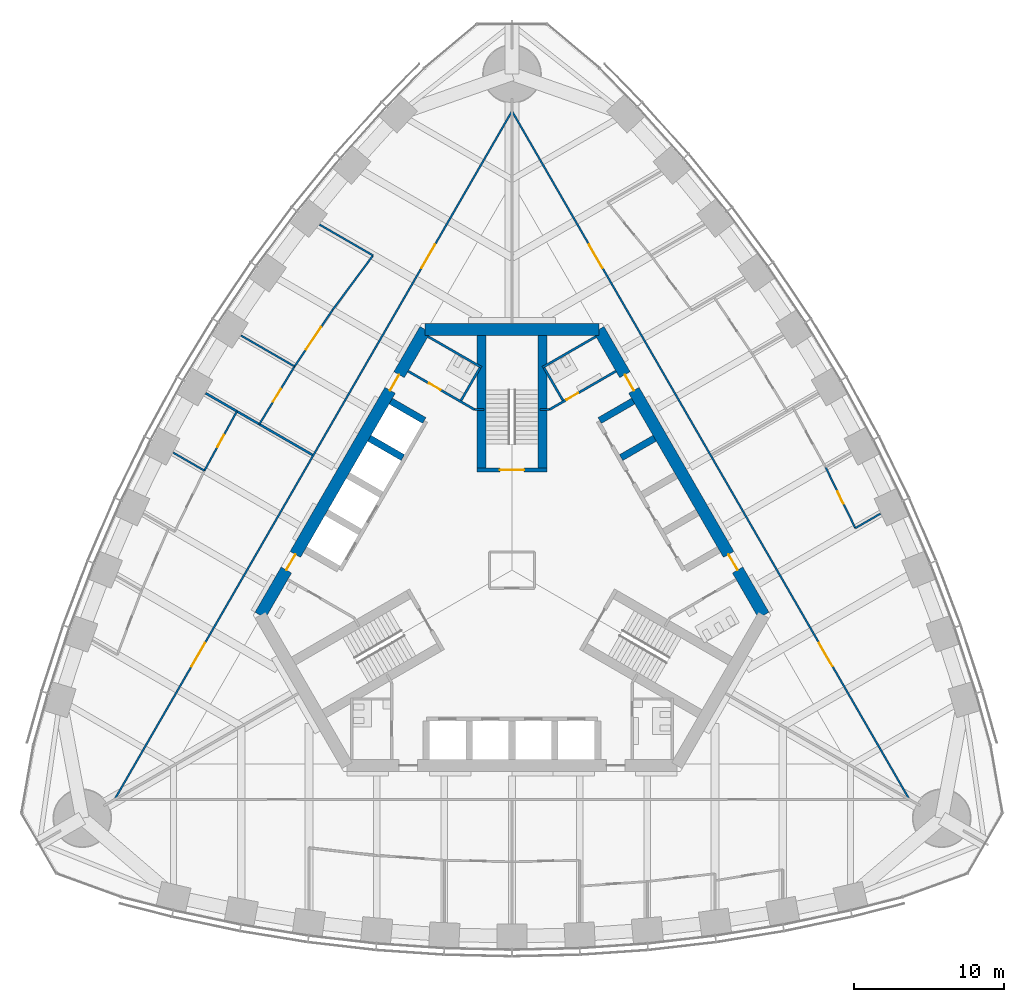
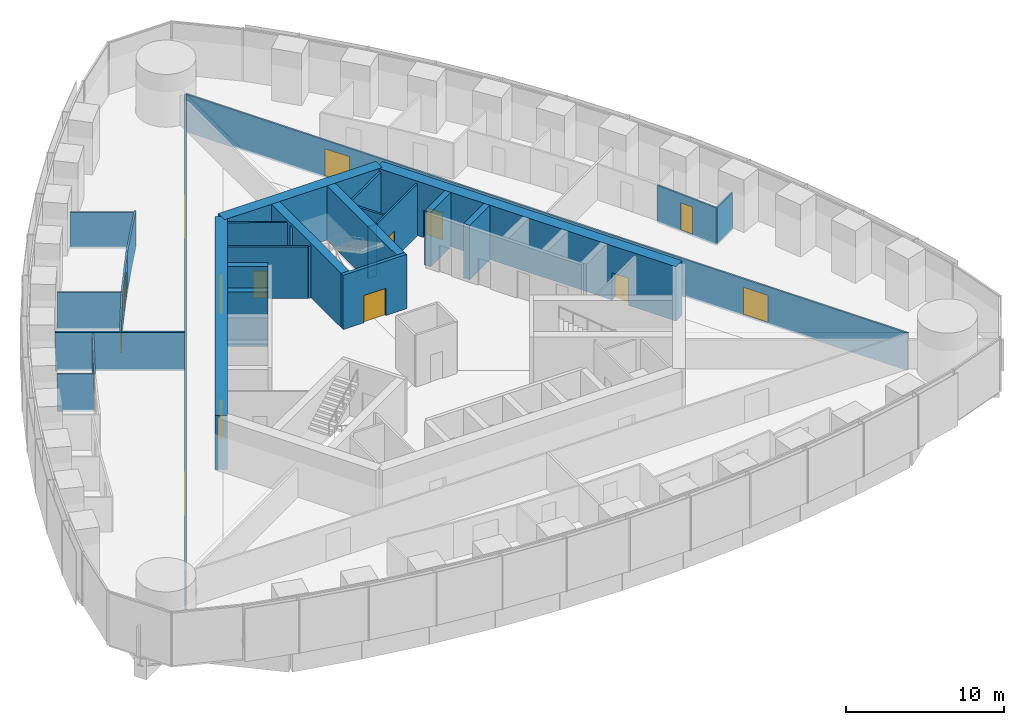
# One storey, part 13 of 19: 30 walls, 15 doors, 15 openings.
"""IFC4 building model written with IfcOpenShell, lengths in metres."""

from ifc_helpers import new_model, si_unit, direction, frame, frame_2d, origin, place, context, subcontext, project, spatial, rectangle, extrude, material, layer, layer_set, type_object, element, fill, save


model = new_model("IFC4")

# Units and contexts
model_context = context("Model", 3, precision=1e-05, world=origin(), true_north=direction((0.0, 1.0)))
body_context = subcontext(model_context, "Body", "Model", "MODEL_VIEW")
ifc_project = project(units=[si_unit("LENGTHUNIT", "METRE"), si_unit("AREAUNIT", "SQUARE_METRE"), si_unit("VOLUMEUNIT", "CUBIC_METRE"), si_unit("PLANEANGLEUNIT", "RADIAN"), si_unit("MASSUNIT", "GRAM", prefix="KILO")], contexts=[model_context])

# Site, building, storey
site_placement = place(None, origin())
site = spatial("IfcSite", under=ifc_project, at=site_placement, CompositionType="ELEMENT")
building_placement = place(site_placement, origin())
building = spatial("IfcBuilding", under=site, at=building_placement, Name="Trefoil Bronze Tower", CompositionType="ELEMENT")
storey_placement = place(building_placement, frame((0.0, 0.0, 193.89990234375)))
storey = spatial("IfcBuildingStorey", under=building, at=storey_placement, Name="L44", CompositionType="ELEMENT", Elevation=193.89990234375)

# Wall, openings, doors
ifc_material_1 = material(Name="Concrete B80", Category="concrete")
ifc_layer_1 = layer(ifc_material_1, 0.800048828125)
ifc_layer_set_1 = layer_set([ifc_layer_1], Name="Core wall 800")
wall_type_1 = type_object("IfcWallType", Name="Core wall 800", PredefinedType="SHEAR", material=ifc_layer_set_1)
wall_1_placement = place(storey_placement, frame((16.7431640625, -3.0, 0.0), z_axis=(0.0, 0.0, 1.0), x_axis=(-0.500002442456, 0.866023993627, 0.0)))
wall_1 = element("IfcWall", 1, at=wall_1_placement, inside=storey, type_object=wall_type_1, Name="Core long wall 2 L44", PredefinedType="SHEAR", context=body_context, shape_type="SweptSolid", body=[
    extrude(rectangle(XDim=21.939453125, YDim=0.800048828125, at=frame_2d((10.9697265625, 0.0))), origin(), (0.0, 0.0, 1.0), 4.2001953125),
])
opening_1_placement = place(wall_1_placement, frame((17.269775390625, 0.0, 0.0)))
opening_1 = element("IfcOpeningElement", 2, at=opening_1_placement, cuts=wall_1, Name="Opening D2", PredefinedType="OPENING", context=body_context, shape_type="SweptSolid", body=[
    extrude(rectangle(XDim=1.199951171875, YDim=2.10009765625, at=frame_2d((0.60009765625, 1.050048828125))), frame((0.0, 0.409912109375, 0.0), z_axis=(0.0, -1.0, 0.0), x_axis=(1.0, 0.0, 0.0)), (0.0, 0.0, 1.0), 0.820068359375),
])
opening_2_placement = place(wall_1_placement, frame((3.4697265625, 0.0, 0.0)))
opening_2 = element("IfcOpeningElement", 3, at=opening_2_placement, cuts=wall_1, Name="Opening D2", PredefinedType="OPENING", context=body_context, shape_type="SweptSolid", body=[
    extrude(rectangle(XDim=1.199951171875, YDim=2.10009765625, at=frame_2d((0.60009765625, 1.050048828125))), frame((0.0, 0.409912109375, 0.0), z_axis=(0.0, -1.0, 0.0), x_axis=(1.0, 0.0, 0.0)), (0.0, 0.0, 1.0), 0.820068359375),
])
ifc_material_2 = material(Name="Steel door", Category="steel")
door_type_1 = type_object("IfcDoorType", Name="Lobby door 1200", OperationType="SINGLE_SWING_RIGHT", PredefinedType="DOOR", material=ifc_material_2)
door_1_placement = place(opening_1_placement, origin())
door_1 = element("IfcDoor", 4, at=door_1_placement, inside=storey, type_object=door_type_1, Name="Lobby door F2+ L44", OperationType="SINGLE_SWING_RIGHT", OverallHeight=2.10009765625, OverallWidth=1.199951171875, PredefinedType="DOOR", context=body_context, shape_type="SweptSolid", body=[
    extrude(rectangle(XDim=1.199951171875, YDim=2.10009765625, at=frame_2d((0.60009765625, 1.050048828125))), frame((0.0, 0.02490234375, 0.0), z_axis=(0.0, -1.0, 0.0), x_axis=(1.0, 0.0, 0.0)), (0.0, 0.0, 1.0), 0.050048828125),
])
fill(opening_1, door_1)
door_2_placement = place(opening_2_placement, origin())
door_2 = element("IfcDoor", 5, at=door_2_placement, inside=storey, type_object=door_type_1, Name="Lobby door F2- L44", OperationType="SINGLE_SWING_LEFT", OverallHeight=2.10009765625, OverallWidth=1.199951171875, PredefinedType="DOOR", context=body_context, shape_type="SweptSolid", body=[
    extrude(rectangle(XDim=1.199951171875, YDim=2.10009765625, at=frame_2d((0.60009765625, 1.050048828125))), frame((0.0, 0.02490234375, 0.0), z_axis=(0.0, -1.0, 0.0), x_axis=(1.0, 0.0, 0.0)), (0.0, 0.0, 1.0), 0.050048828125),
])
fill(opening_2, door_2)

# Wall
wall_2_placement = place(storey_placement, frame((5.7734375, 16.0, 0.0), z_axis=(0.0, 0.0, 1.0), x_axis=(-1.0, 0.0, 0.0)))
element("IfcWall", 6, at=wall_2_placement, inside=storey, type_object=wall_type_1, Name="Core short wall 2 L44", PredefinedType="SHEAR", context=body_context, shape_type="SweptSolid", body=[
    extrude(rectangle(XDim=11.546875, YDim=0.800048828125, at=frame_2d((5.7734375, 0.0))), origin(), (0.0, 0.0, 1.0), 4.2001953125),
])

# Wall, openings, doors
wall_3_placement = place(storey_placement, frame((-5.7734375, 16.0, 0.0), z_axis=(0.0, 0.0, 1.0), x_axis=(-0.500002442456, -0.866023993627, 0.0)))
wall_3 = element("IfcWall", 7, at=wall_3_placement, inside=storey, type_object=wall_type_1, Name="Core long wall 3 L44", PredefinedType="SHEAR", context=body_context, shape_type="SweptSolid", body=[
    extrude(rectangle(XDim=21.939453125, YDim=0.800048828125, at=frame_2d((10.9697265625, 0.0))), origin(), (0.0, 0.0, 1.0), 4.2001953125),
])
opening_3_placement = place(wall_3_placement, frame((17.269775390625, 0.0, 0.0)))
opening_3 = element("IfcOpeningElement", 8, at=opening_3_placement, cuts=wall_3, Name="Opening D2", PredefinedType="OPENING", context=body_context, shape_type="SweptSolid", body=[
    extrude(rectangle(XDim=1.199951171875, YDim=2.10009765625, at=frame_2d((0.60009765625, 1.050048828125))), frame((0.0, 0.409912109375, 0.0), z_axis=(0.0, -1.0, 0.0), x_axis=(1.0, 0.0, 0.0)), (0.0, 0.0, 1.0), 0.820068359375),
])
opening_4_placement = place(wall_3_placement, frame((3.4697265625, 0.0, 0.0)))
opening_4 = element("IfcOpeningElement", 9, at=opening_4_placement, cuts=wall_3, Name="Opening D2", PredefinedType="OPENING", context=body_context, shape_type="SweptSolid", body=[
    extrude(rectangle(XDim=1.199951171875, YDim=2.10009765625, at=frame_2d((0.60009765625, 1.050048828125))), frame((0.0, 0.409912109375, 0.0), z_axis=(0.0, -1.0, 0.0), x_axis=(1.0, 0.0, 0.0)), (0.0, 0.0, 1.0), 0.820068359375),
])
door_3_placement = place(opening_3_placement, origin())
door_3 = element("IfcDoor", 10, at=door_3_placement, inside=storey, type_object=door_type_1, Name="Lobby door F3+ L44", OperationType="SINGLE_SWING_RIGHT", OverallHeight=2.10009765625, OverallWidth=1.199951171875, PredefinedType="DOOR", context=body_context, shape_type="SweptSolid", body=[
    extrude(rectangle(XDim=1.199951171875, YDim=2.10009765625, at=frame_2d((0.60009765625, 1.050048828125))), frame((0.0, 0.02490234375, 0.0), z_axis=(0.0, -1.0, 0.0), x_axis=(1.0, 0.0, 0.0)), (0.0, 0.0, 1.0), 0.050048828125),
])
fill(opening_3, door_3)
door_4_placement = place(opening_4_placement, origin())
door_4 = element("IfcDoor", 11, at=door_4_placement, inside=storey, type_object=door_type_1, Name="Lobby door F3- L44", OperationType="SINGLE_SWING_LEFT", OverallHeight=2.10009765625, OverallWidth=1.199951171875, PredefinedType="DOOR", context=body_context, shape_type="SweptSolid", body=[
    extrude(rectangle(XDim=1.199951171875, YDim=2.10009765625, at=frame_2d((0.60009765625, 1.050048828125))), frame((0.0, 0.02490234375, 0.0), z_axis=(0.0, -1.0, 0.0), x_axis=(1.0, 0.0, 0.0)), (0.0, 0.0, 1.0), 0.050048828125),
])
fill(opening_4, door_4)

ifc_material_3 = material(Name="Glazed partition", Category="glass")
ifc_layer_2 = layer(ifc_material_3, 0.1201171875)
ifc_layer_set_2 = layer_set([ifc_layer_2], Name="Glazed partition 120")
wall_type_2 = type_object("IfcWallType", Name="Glazed partition 120", PredefinedType="PARTITIONING", material=ifc_layer_set_2)
wall_4_placement = place(storey_placement, frame((26.41455078125, -15.2314453125, 0.0), z_axis=(0.0, 0.0, 1.0), x_axis=(-0.50000091641, 0.866024874695, 0.0)))
wall_4 = element("IfcWall", 12, at=wall_4_placement, inside=storey, type_object=wall_type_2, Name="Partition F2 L44", PredefinedType="PARTITIONING", context=body_context, shape_type="SweptSolid", body=[
    extrude(rectangle(XDim=52.79638671875, YDim=0.1201171875, at=frame_2d((26.398193359375, 0.0))), origin(), (0.0, 0.0, 1.0), 2.900146484375),
])
opening_5_placement = place(wall_4_placement, frame((10.199951171875, 0.0, 0.14990234375)))
opening_5 = element("IfcOpeningElement", 13, at=opening_5_placement, cuts=wall_4, Name="Opening D10", PredefinedType="OPENING", context=body_context, shape_type="SweptSolid", body=[
    extrude(rectangle(XDim=1.800048828125, YDim=2.10009765625, at=frame_2d((0.89990234375, 1.050048828125))), frame((0.0, 0.070068359375, 0.0), z_axis=(0.0, -1.0, 0.0), x_axis=(1.0, 0.0, 0.0)), (0.0, 0.0, 1.0), 0.14013671875),
])
opening_6_placement = place(wall_4_placement, frame((40.800048828125, 0.0, 0.14990234375)))
opening_6 = element("IfcOpeningElement", 14, at=opening_6_placement, cuts=wall_4, Name="Opening D10", PredefinedType="OPENING", context=body_context, shape_type="SweptSolid", body=[
    extrude(rectangle(XDim=1.800048828125, YDim=2.10009765625, at=frame_2d((0.89990234375, 1.050048828125))), frame((0.0, 0.070068359375, 0.0), z_axis=(0.0, -1.0, 0.0), x_axis=(1.0, 0.0, 0.0)), (0.0, 0.0, 1.0), 0.14013671875),
])
ifc_material_4 = material(Name="Timber door", Category="wood")
door_type_2 = type_object("IfcDoorType", Name="Double door 1800", OperationType="DOUBLE_DOOR_SINGLE_SWING", PredefinedType="DOOR", material=ifc_material_4)
door_5_placement = place(opening_5_placement, origin())
door_5 = element("IfcDoor", 15, at=door_5_placement, inside=storey, type_object=door_type_2, Name="Corridor door F2 L44", OperationType="DOUBLE_DOOR_SINGLE_SWING", OverallHeight=2.10009765625, OverallWidth=1.800048828125, PredefinedType="DOOR", context=body_context, shape_type="SweptSolid", body=[
    extrude(rectangle(XDim=1.800048828125, YDim=2.10009765625, at=frame_2d((0.89990234375, 1.050048828125))), frame((0.0, 0.02490234375, 0.0), z_axis=(0.0, -1.0, 0.0), x_axis=(1.0, 0.0, 0.0)), (0.0, 0.0, 1.0), 0.050048828125),
])
fill(opening_5, door_5)
door_6_placement = place(opening_6_placement, origin())
door_6 = element("IfcDoor", 16, at=door_6_placement, inside=storey, type_object=door_type_2, Name="Corridor door F2 L44", OperationType="DOUBLE_DOOR_SINGLE_SWING", OverallHeight=2.10009765625, OverallWidth=1.800048828125, PredefinedType="DOOR", context=body_context, shape_type="SweptSolid", body=[
    extrude(rectangle(XDim=1.800048828125, YDim=2.10009765625, at=frame_2d((0.89990234375, 1.050048828125))), frame((0.0, 0.02490234375, 0.0), z_axis=(0.0, -1.0, 0.0), x_axis=(1.0, 0.0, 0.0)), (0.0, 0.0, 1.0), 0.050048828125),
])
fill(opening_6, door_6)

# Wall, opening, door
wall_5_placement = place(storey_placement, frame((22.8349609375, 2.79150390625, 0.0), z_axis=(0.0, 0.0, 1.0), x_axis=(-0.43911984878, 0.898428493764, 0.0)))
wall_5 = element("IfcWall", 17, at=wall_5_placement, inside=storey, type_object=wall_type_2, Name="Partition F2 L44", PredefinedType="PARTITIONING", context=body_context, shape_type="SweptSolid", body=[
    extrude(rectangle(XDim=4.5107421875, YDim=0.1201171875, at=frame_2d((2.25537109375, 0.0))), origin(), (0.0, 0.0, 1.0), 2.900146484375),
])
opening_7_placement = place(wall_5_placement, frame((1.800048828125, 0.0, 0.14990234375)))
opening_7 = element("IfcOpeningElement", 18, at=opening_7_placement, cuts=wall_5, Name="Opening D8", PredefinedType="OPENING", context=body_context, shape_type="SweptSolid", body=[
    extrude(rectangle(XDim=0.89990234375, YDim=2.10009765625, at=frame_2d((0.449951171875, 1.050048828125))), frame((0.0, 0.070068359375, 0.0), z_axis=(0.0, -1.0, 0.0), x_axis=(1.0, 0.0, 0.0)), (0.0, 0.0, 1.0), 0.14013671875),
])
ifc_material_5 = material(Name="Timber door", Category="wood")
door_type_3 = type_object("IfcDoorType", Name="Office door 900", OperationType="SINGLE_SWING_LEFT", PredefinedType="DOOR", material=ifc_material_5)
door_7_placement = place(opening_7_placement, frame((0.89990234375, 0.0, 0.0), z_axis=(0.0, 0.0, 1.0), x_axis=(-1.0, 0.0, 0.0)))
door_7 = element("IfcDoor", 19, at=door_7_placement, inside=storey, type_object=door_type_3, Name="Comms room door F2 L44", OperationType="SINGLE_SWING_RIGHT", OverallHeight=2.10009765625, OverallWidth=0.89990234375, PredefinedType="DOOR", context=body_context, shape_type="SweptSolid", body=[
    extrude(rectangle(XDim=0.89990234375, YDim=2.10009765625, at=frame_2d((0.449951171875, 1.050048828125))), frame((0.0, 0.02490234375, 0.0), z_axis=(0.0, -1.0, 0.0), x_axis=(1.0, 0.0, 0.0)), (0.0, 0.0, 1.0), 0.050048828125),
])
fill(opening_7, door_7)

# Wall
wall_6_placement = place(storey_placement, frame((22.8349609375, 2.79150390625, 0.0), z_axis=(0.0, 0.0, 1.0), x_axis=(0.865997904316, 0.500047627452, 0.0)))
element("IfcWall", 20, at=wall_6_placement, inside=storey, type_object=wall_type_2, Name="Partition F2 L44", PredefinedType="PARTITIONING", context=body_context, shape_type="SweptSolid", body=[
    extrude(rectangle(XDim=1.927978515625, YDim=0.1201171875, at=frame_2d((0.9638671875, 0.0))), origin(), (0.0, 0.0, 1.0), 2.900146484375),
])

# Wall, openings, doors
wall_7_placement = place(storey_placement, frame((-0.016357421875, 30.491455078125, 0.0), z_axis=(0.0, 0.0, 1.0), x_axis=(-0.50000091641, -0.866024874695, 0.0)))
wall_7 = element("IfcWall", 21, at=wall_7_placement, inside=storey, type_object=wall_type_2, Name="Partition F3 L44", PredefinedType="PARTITIONING", context=body_context, shape_type="SweptSolid", body=[
    extrude(rectangle(XDim=52.79638671875, YDim=0.1201171875, at=frame_2d((26.398193359375, 0.0))), origin(), (0.0, 0.0, 1.0), 2.900146484375),
])
opening_8_placement = place(wall_7_placement, frame((10.199951171875, 0.0, 0.14990234375)))
opening_8 = element("IfcOpeningElement", 22, at=opening_8_placement, cuts=wall_7, Name="Opening D10", PredefinedType="OPENING", context=body_context, shape_type="SweptSolid", body=[
    extrude(rectangle(XDim=1.800048828125, YDim=2.10009765625, at=frame_2d((0.89990234375, 1.050048828125))), frame((0.0, 0.070068359375, 0.0), z_axis=(0.0, -1.0, 0.0), x_axis=(1.0, 0.0, 0.0)), (0.0, 0.0, 1.0), 0.14013671875),
])
opening_9_placement = place(wall_7_placement, frame((40.800048828125, 0.0, 0.14990234375)))
opening_9 = element("IfcOpeningElement", 23, at=opening_9_placement, cuts=wall_7, Name="Opening D10", PredefinedType="OPENING", context=body_context, shape_type="SweptSolid", body=[
    extrude(rectangle(XDim=1.800048828125, YDim=2.10009765625, at=frame_2d((0.89990234375, 1.050048828125))), frame((0.0, 0.070068359375, 0.0), z_axis=(0.0, -1.0, 0.0), x_axis=(1.0, 0.0, 0.0)), (0.0, 0.0, 1.0), 0.14013671875),
])
door_8_placement = place(opening_8_placement, origin())
door_8 = element("IfcDoor", 24, at=door_8_placement, inside=storey, type_object=door_type_2, Name="Corridor door F3 L44", OperationType="DOUBLE_DOOR_SINGLE_SWING", OverallHeight=2.10009765625, OverallWidth=1.800048828125, PredefinedType="DOOR", context=body_context, shape_type="SweptSolid", body=[
    extrude(rectangle(XDim=1.800048828125, YDim=2.10009765625, at=frame_2d((0.89990234375, 1.050048828125))), frame((0.0, 0.02490234375, 0.0), z_axis=(0.0, -1.0, 0.0), x_axis=(1.0, 0.0, 0.0)), (0.0, 0.0, 1.0), 0.050048828125),
])
fill(opening_8, door_8)
door_9_placement = place(opening_9_placement, origin())
door_9 = element("IfcDoor", 25, at=door_9_placement, inside=storey, type_object=door_type_2, Name="Corridor door F3 L44", OperationType="DOUBLE_DOOR_SINGLE_SWING", OverallHeight=2.10009765625, OverallWidth=1.800048828125, PredefinedType="DOOR", context=body_context, shape_type="SweptSolid", body=[
    extrude(rectangle(XDim=1.800048828125, YDim=2.10009765625, at=frame_2d((0.89990234375, 1.050048828125))), frame((0.0, 0.02490234375, 0.0), z_axis=(0.0, -1.0, 0.0), x_axis=(1.0, 0.0, 0.0)), (0.0, 0.0, 1.0), 0.050048828125),
])
fill(opening_9, door_9)

# Wall, opening, door
wall_8_placement = place(storey_placement, frame((-18.29541015625, 10.562744140625, 0.0), z_axis=(0.0, 0.0, 1.0), x_axis=(-0.479972822547, -0.877283357654, 0.0)))
wall_8 = element("IfcWall", 26, at=wall_8_placement, inside=storey, type_object=wall_type_2, Name="Partition F3 L44", PredefinedType="PARTITIONING", context=body_context, shape_type="SweptSolid", body=[
    extrude(rectangle(XDim=4.5009765625, YDim=0.1201171875, at=frame_2d((2.25048828125, 0.0))), origin(), (0.0, 0.0, 1.0), 2.900146484375),
])
opening_10_placement = place(wall_8_placement, frame((1.800048828125, 0.0, 0.14990234375)))
opening_10 = element("IfcOpeningElement", 27, at=opening_10_placement, cuts=wall_8, Name="Opening D8", PredefinedType="OPENING", context=body_context, shape_type="SweptSolid", body=[
    extrude(rectangle(XDim=0.89990234375, YDim=2.10009765625, at=frame_2d((0.449951171875, 1.050048828125))), frame((0.0, 0.070068359375, 0.0), z_axis=(0.0, -1.0, 0.0), x_axis=(1.0, 0.0, 0.0)), (0.0, 0.0, 1.0), 0.14013671875),
])
door_10_placement = place(opening_10_placement, frame((0.89990234375, 0.0, 0.0), z_axis=(0.0, 0.0, 1.0), x_axis=(-1.0, 0.0, 0.0)))
door_10 = element("IfcDoor", 28, at=door_10_placement, inside=storey, type_object=door_type_3, Name="Focus room door F3 L44", OperationType="SINGLE_SWING_RIGHT", OverallHeight=2.10009765625, OverallWidth=0.89990234375, PredefinedType="DOOR", context=body_context, shape_type="SweptSolid", body=[
    extrude(rectangle(XDim=0.89990234375, YDim=2.10009765625, at=frame_2d((0.449951171875, 1.050048828125))), frame((0.0, 0.02490234375, 0.0), z_axis=(0.0, -1.0, 0.0), x_axis=(1.0, 0.0, 0.0)), (0.0, 0.0, 1.0), 0.050048828125),
])
fill(opening_10, door_10)

# Wall
wall_9_placement = place(storey_placement, frame((-9.2421875, 20.92431640625, 0.0), z_axis=(0.0, 0.0, 1.0), x_axis=(-0.59613842716, -0.802881669777, 0.0)))
element("IfcWall", 29, at=wall_9_placement, inside=storey, type_object=wall_type_2, Name="Partition F3 L44", PredefinedType="PARTITIONING", context=body_context, shape_type="SweptSolid", body=[
    extrude(rectangle(XDim=4.52978515625, YDim=0.1201171875, at=frame_2d((2.264892578125, 0.0))), origin(), (0.0, 0.0, 1.0), 2.900146484375),
])

# Wall, opening, door
wall_10_placement = place(storey_placement, frame((-14.4619140625, 13.545654296875, 0.0), z_axis=(0.0, 0.0, 1.0), x_axis=(-0.519790350351, -0.85429385558, 0.0)))
wall_10 = element("IfcWall", 30, at=wall_10_placement, inside=storey, type_object=wall_type_2, Name="Partition F3 L44", PredefinedType="PARTITIONING", context=body_context, shape_type="SweptSolid", body=[
    extrude(rectangle(XDim=4.5009765625, YDim=0.1201171875, at=frame_2d((2.25048828125, 0.0))), origin(), (0.0, 0.0, 1.0), 2.900146484375),
])
opening_11_placement = place(wall_10_placement, frame((1.75, 0.0, 0.14990234375)))
opening_11 = element("IfcOpeningElement", 31, at=opening_11_placement, cuts=wall_10, Name="Opening D9", PredefinedType="OPENING", context=body_context, shape_type="SweptSolid", body=[
    extrude(rectangle(XDim=1.0, YDim=2.10009765625, at=frame_2d((0.5, 1.050048828125))), frame((0.0, 0.070068359375, 0.0), z_axis=(0.0, -1.0, 0.0), x_axis=(1.0, 0.0, 0.0)), (0.0, 0.0, 1.0), 0.14013671875),
])
ifc_material_6 = material(Name="Glazed timber door", Category="wood")
door_type_4 = type_object("IfcDoorType", Name="Meeting room door 1000", OperationType="SINGLE_SWING_LEFT", PredefinedType="DOOR", material=ifc_material_6)
door_11_placement = place(opening_11_placement, frame((1.0, 0.0, 0.0), z_axis=(0.0, 0.0, 1.0), x_axis=(-1.0, 0.0, 0.0)))
door_11 = element("IfcDoor", 32, at=door_11_placement, inside=storey, type_object=door_type_4, Name="Meeting room door F3 L44", OperationType="SINGLE_SWING_RIGHT", OverallHeight=2.10009765625, OverallWidth=1.0, PredefinedType="DOOR", context=body_context, shape_type="SweptSolid", body=[
    extrude(rectangle(XDim=1.0, YDim=2.10009765625, at=frame_2d((0.5, 1.050048828125))), frame((0.0, 0.02490234375, 0.0), z_axis=(0.0, -1.0, 0.0), x_axis=(1.0, 0.0, 0.0)), (0.0, 0.0, 1.0), 0.050048828125),
])
fill(opening_11, door_11)

wall_11_placement = place(storey_placement, frame((-11.942626953125, 17.287353515625, 0.0), z_axis=(0.0, 0.0, 1.0), x_axis=(-0.55850386778, -0.829501916619, 0.0)))
wall_11 = element("IfcWall", 33, at=wall_11_placement, inside=storey, type_object=wall_type_2, Name="Partition F3 L44", PredefinedType="PARTITIONING", context=body_context, shape_type="SweptSolid", body=[
    extrude(rectangle(XDim=4.5107421875, YDim=0.1201171875, at=frame_2d((2.25537109375, 0.0))), origin(), (0.0, 0.0, 1.0), 2.900146484375),
])
opening_12_placement = place(wall_11_placement, frame((1.35009765625, 0.0, 0.14990234375)))
opening_12 = element("IfcOpeningElement", 34, at=opening_12_placement, cuts=wall_11, Name="Opening D10", PredefinedType="OPENING", context=body_context, shape_type="SweptSolid", body=[
    extrude(rectangle(XDim=1.800048828125, YDim=2.10009765625, at=frame_2d((0.89990234375, 1.050048828125))), frame((0.0, 0.070068359375, 0.0), z_axis=(0.0, -1.0, 0.0), x_axis=(1.0, 0.0, 0.0)), (0.0, 0.0, 1.0), 0.14013671875),
])
door_12_placement = place(opening_12_placement, frame((1.800048828125, 0.0, 0.0), z_axis=(0.0, 0.0, 1.0), x_axis=(-1.0, 0.0, 0.0)))
door_12 = element("IfcDoor", 35, at=door_12_placement, inside=storey, type_object=door_type_2, Name="Kitchen and breakout door F3 L44", OperationType="DOUBLE_DOOR_SINGLE_SWING", OverallHeight=2.10009765625, OverallWidth=1.800048828125, PredefinedType="DOOR", context=body_context, shape_type="SweptSolid", body=[
    extrude(rectangle(XDim=1.800048828125, YDim=2.10009765625, at=frame_2d((0.89990234375, 1.050048828125))), frame((0.0, 0.02490234375, 0.0), z_axis=(0.0, -1.0, 0.0), x_axis=(1.0, 0.0, 0.0)), (0.0, 0.0, 1.0), 0.050048828125),
])
fill(opening_12, door_12)

# Walls
wall_12_placement = place(storey_placement, frame((-20.455810546875, 6.614013671875, 0.0), z_axis=(0.0, 0.0, 1.0), x_axis=(-0.866030989016, 0.499990325971, 0.0)))
element("IfcWall", 36, at=wall_12_placement, inside=storey, type_object=wall_type_2, Name="Partition F3 L44", PredefinedType="PARTITIONING", context=body_context, shape_type="SweptSolid", body=[
    extrude(rectangle(XDim=2.39306640625, YDim=0.1201171875, at=frame_2d((1.196533203125, 0.0))), origin(), (0.0, 0.0, 1.0), 2.900146484375),
])
wall_13_placement = place(storey_placement, frame((-9.2421875, 20.92431640625, 0.0), z_axis=(0.0, 0.0, 1.0), x_axis=(-0.866016197294, 0.500015945769, 0.0)))
element("IfcWall", 37, at=wall_13_placement, inside=storey, type_object=wall_type_2, Name="Partition F3 L44", PredefinedType="PARTITIONING", context=body_context, shape_type="SweptSolid", body=[
    extrude(rectangle(XDim=4.104248046875, YDim=0.1201171875, at=frame_2d((2.05224609375, 0.0))), origin(), (0.0, 0.0, 1.0), 2.800048828125),
])
wall_14_placement = place(storey_placement, frame((-14.4619140625, 13.545654296875, 0.0), z_axis=(0.0, 0.0, 1.0), x_axis=(-0.865998005666, 0.50004745193, 0.0)))
element("IfcWall", 38, at=wall_14_placement, inside=storey, type_object=wall_type_2, Name="Partition F3 L44", PredefinedType="PARTITIONING", context=body_context, shape_type="SweptSolid", body=[
    extrude(rectangle(XDim=4.1181640625, YDim=0.1201171875, at=frame_2d((2.05908203125, 0.0))), origin(), (0.0, 0.0, 1.0), 2.900146484375),
])
ifc_material_7 = material(Name="Concrete B80", Category="concrete")
ifc_layer_3 = layer(ifc_material_7, 0.449951171875)
ifc_layer_set_3 = layer_set([ifc_layer_3], Name="Outrigger shaft wall 450")
wall_type_3 = type_object("IfcWallType", Name="Outrigger shaft wall 450", PredefinedType="SHEAR", material=ifc_layer_set_3)
wall_15_placement = place(storey_placement, frame((7.2568359375, 7.480712890625, 0.0), z_axis=(0.0, 0.0, 1.0), x_axis=(0.866046643894, 0.499963209246, 0.0)))
element("IfcWall", 39, at=wall_15_placement, inside=storey, type_object=wall_type_3, Name="Lift shaft side wall B3 L44", PredefinedType="SHEAR", context=body_context, shape_type="SweptSolid", body=[
    extrude(rectangle(XDim=2.574951171875, YDim=0.449951171875, at=frame_2d((1.28759765625, 0.0))), origin(), (0.0, 0.0, 1.0), 4.2001953125),
])
for number, where, z_axis, x_axis, name in (
    (40, (5.831787109375, 9.94873046875, 0.0), (0.0, 0.0, 1.0), (0.866029291668, 0.499993265928, 0.0), "Lift shaft side wall B4 L44"),
    (41, (-5.831787109375, 9.94873046875, 0.0), (0.0, 0.0, 1.0), (-0.866029291668, 0.499993265928, 0.0), "Lift shaft side wall C0 L44"),
):
    element("IfcWall", number, at=place(storey_placement, frame(where, z_axis=z_axis, x_axis=x_axis)), inside=storey, type_object=wall_type_3, Name=name, PredefinedType="SHEAR", context=body_context, shape_type="SweptSolid", body=[
        extrude(rectangle(XDim=2.5751953125, YDim=0.449951171875, at=frame_2d((1.28759765625, 0.0))), origin(), (0.0, 0.0, 1.0), 4.2001953125),
    ])
wall_16_placement = place(storey_placement, frame((-7.2568359375, 7.480712890625, 0.0), z_axis=(0.0, 0.0, 1.0), x_axis=(-0.866046643894, 0.499963209246, 0.0)))
element("IfcWall", 42, at=wall_16_placement, inside=storey, type_object=wall_type_3, Name="Lift shaft side wall C1 L44", PredefinedType="SHEAR", context=body_context, shape_type="SweptSolid", body=[
    extrude(rectangle(XDim=2.574951171875, YDim=0.449951171875, at=frame_2d((1.28759765625, 0.0))), origin(), (0.0, 0.0, 1.0), 4.2001953125),
])

# Wall, opening, door
ifc_material_8 = material(Name="Gypsum board on steel studs", Category="steel")
ifc_layer_4 = layer(ifc_material_8, 0.14990234375)
ifc_layer_set_4 = layer_set([ifc_layer_4], Name="Partition 150")
wall_type_4 = type_object("IfcWallType", Name="Partition 150", PredefinedType="PARTITIONING", material=ifc_layer_set_4)
wall_17_placement = place(storey_placement, frame((2.4951171875, 10.67822265625, 0.0), z_axis=(0.0, 0.0, 1.0), x_axis=(0.86602216432, 0.500005610874, 0.0)))
wall_17 = element("IfcWall", 43, at=wall_17_placement, inside=storey, type_object=wall_type_4, Name="Passage wall F2+ L44", PredefinedType="PARTITIONING", context=body_context, shape_type="SweptSolid", body=[
    extrude(rectangle(XDim=5.10009765625, YDim=0.14990234375, at=frame_2d((2.550048828125, 0.0))), origin(), (0.0, 0.0, 1.0), 4.0),
])
opening_13_placement = place(wall_17_placement, frame((1.300048828125, 0.0, 0.0)))
opening_13 = element("IfcOpeningElement", 44, at=opening_13_placement, cuts=wall_17, Name="Opening D3", PredefinedType="OPENING", context=body_context, shape_type="SweptSolid", body=[
    extrude(rectangle(XDim=0.89990234375, YDim=2.10009765625, at=frame_2d((0.449951171875, 1.050048828125))), frame((0.0, 0.0849609375, 0.0), z_axis=(0.0, -1.0, 0.0), x_axis=(1.0, 0.0, 0.0)), (0.0, 0.0, 1.0), 0.169921875),
])
ifc_material_9 = material(Name="Timber door", Category="wood")
door_type_5 = type_object("IfcDoorType", Name="WC door 900", OperationType="SINGLE_SWING_LEFT", PredefinedType="DOOR", material=ifc_material_9)
door_13_placement = place(opening_13_placement, origin())
door_13 = element("IfcDoor", 45, at=door_13_placement, inside=storey, type_object=door_type_5, Name="WC (men) door L44", OperationType="SINGLE_SWING_LEFT", OverallHeight=2.10009765625, OverallWidth=0.89990234375, PredefinedType="DOOR", context=body_context, shape_type="SweptSolid", body=[
    extrude(rectangle(XDim=0.89990234375, YDim=2.10009765625, at=frame_2d((0.449951171875, 1.050048828125))), frame((0.0, 0.02490234375, 0.0), z_axis=(0.0, -1.0, 0.0), x_axis=(1.0, 0.0, 0.0)), (0.0, 0.0, 1.0), 0.050048828125),
])
fill(opening_13, door_13)

wall_18_placement = place(storey_placement, frame((-2.4951171875, 10.67822265625, 0.0), z_axis=(0.0, 0.0, 1.0), x_axis=(-0.86602216432, 0.500005610874, 0.0)))
wall_18 = element("IfcWall", 46, at=wall_18_placement, inside=storey, type_object=wall_type_4, Name="Passage wall F3- L44", PredefinedType="PARTITIONING", context=body_context, shape_type="SweptSolid", body=[
    extrude(rectangle(XDim=5.10009765625, YDim=0.14990234375, at=frame_2d((2.550048828125, 0.0))), origin(), (0.0, 0.0, 1.0), 4.0),
])
opening_14_placement = place(wall_18_placement, frame((2.60009765625, 0.0, 0.0)))
opening_14 = element("IfcOpeningElement", 47, at=opening_14_placement, cuts=wall_18, Name="Opening D3", PredefinedType="OPENING", context=body_context, shape_type="SweptSolid", body=[
    extrude(rectangle(XDim=0.89990234375, YDim=2.10009765625, at=frame_2d((0.449951171875, 1.050048828125))), frame((0.0, 0.0849609375, 0.0), z_axis=(0.0, -1.0, 0.0), x_axis=(1.0, 0.0, 0.0)), (0.0, 0.0, 1.0), 0.169921875),
])
door_14_placement = place(opening_14_placement, frame((0.89990234375, 0.0, 0.0), z_axis=(0.0, 0.0, 1.0), x_axis=(-1.0, 0.0, 0.0)))
door_14 = element("IfcDoor", 48, at=door_14_placement, inside=storey, type_object=door_type_5, Name="WC (women) door L44", OperationType="SINGLE_SWING_RIGHT", OverallHeight=2.10009765625, OverallWidth=0.89990234375, PredefinedType="DOOR", context=body_context, shape_type="SweptSolid", body=[
    extrude(rectangle(XDim=0.89990234375, YDim=2.10009765625, at=frame_2d((0.449951171875, 1.050048828125))), frame((0.0, 0.02490234375, 0.0), z_axis=(0.0, -1.0, 0.0), x_axis=(1.0, 0.0, 0.0)), (0.0, 0.0, 1.0), 0.050048828125),
])
fill(opening_14, door_14)

# Walls
for number, where, z_axis, x_axis, name in (
    (49, (2.4951171875, 10.67822265625, 0.0), (0.0, 0.0, 1.0), (-1.0, 0.0, 0.0), "WC wall ST2-1 L44"),
    (50, (-2.4951171875, 10.67822265625, 0.0), (0.0, 0.0, 1.0), (1.0, 0.0, 0.0), "WC wall ST2+1 L44"),
):
    element("IfcWall", number, at=place(storey_placement, frame(where, z_axis=z_axis, x_axis=x_axis)), inside=storey, type_object=wall_type_4, Name=name, PredefinedType="PARTITIONING", context=body_context, shape_type="SweptSolid", body=[
        extrude(rectangle(XDim=0.64501953125, YDim=0.14990234375, at=frame_2d((0.322509765625, 0.0))), origin(), (0.0, 0.0, 1.0), 4.0),
    ])
wall_19_placement = place(storey_placement, frame((2.03125, 13.48193359375, 0.0), z_axis=(0.0, 0.0, 1.0), x_axis=(0.866050731258, 0.499956128963, 0.0)))
element("IfcWall", 51, at=wall_19_placement, inside=storey, type_object=wall_type_4, Name="WC partition WC (men) L44", PredefinedType="PARTITIONING", context=body_context, shape_type="SweptSolid", body=[
    extrude(rectangle(XDim=4.099853515625, YDim=0.14990234375, at=frame_2d((2.0498046875, 0.0))), origin(), (0.0, 0.0, 1.0), 4.0),
])
wall_20_placement = place(storey_placement, frame((3.388671875, 11.28076171875, 0.0), z_axis=(0.0, 0.0, 1.0), x_axis=(-0.499989096993, 0.866031698547, 0.0)))
element("IfcWall", 52, at=wall_20_placement, inside=storey, type_object=wall_type_4, Name="WC partition WC (men) L44", PredefinedType="PARTITIONING", context=body_context, shape_type="SweptSolid", body=[
    extrude(rectangle(XDim=2.509765625, YDim=0.14990234375, at=frame_2d((1.2548828125, 0.0))), origin(), (0.0, 0.0, 1.0), 4.0),
])
wall_21_placement = place(storey_placement, frame((-2.03125, 13.48193359375, 0.0), z_axis=(0.0, 0.0, 1.0), x_axis=(-0.866050731258, 0.499956128963, 0.0)))
element("IfcWall", 53, at=wall_21_placement, inside=storey, type_object=wall_type_4, Name="WC partition WC (women) L44", PredefinedType="PARTITIONING", context=body_context, shape_type="SweptSolid", body=[
    extrude(rectangle(XDim=4.099853515625, YDim=0.14990234375, at=frame_2d((2.0498046875, 0.0))), origin(), (0.0, 0.0, 1.0), 4.0),
])
wall_22_placement = place(storey_placement, frame((-3.388671875, 11.28076171875, 0.0), z_axis=(0.0, 0.0, 1.0), x_axis=(0.499989096993, 0.866031698547, 0.0)))
element("IfcWall", 54, at=wall_22_placement, inside=storey, type_object=wall_type_4, Name="WC partition WC (women) L44", PredefinedType="PARTITIONING", context=body_context, shape_type="SweptSolid", body=[
    extrude(rectangle(XDim=2.509765625, YDim=0.14990234375, at=frame_2d((1.2548828125, 0.0))), origin(), (0.0, 0.0, 1.0), 4.0),
])
ifc_material_10 = material(Name="Gypsum board on steel studs", Category="steel")
ifc_layer_5 = layer(ifc_material_10, 0.14990234375)
ifc_layer_set_5 = layer_set([ifc_layer_5], Name="Party wall 150")
wall_type_5 = type_object("IfcWallType", Name="Party wall 150", PredefinedType="PARTITIONING", material=ifc_layer_set_5)
wall_23_placement = place(storey_placement, frame((-13.267578125, 7.659912109375, 0.0), z_axis=(0.0, 0.0, 1.0), x_axis=(-0.866019499219, 0.500010226868, 0.0)))
element("IfcWall", 55, at=wall_23_placement, inside=storey, type_object=wall_type_5, Name="Demising wall F3 L44", PredefinedType="PARTITIONING", context=body_context, shape_type="SweptSolid", body=[
    extrude(rectangle(XDim=8.200439453125, YDim=0.14990234375, at=frame_2d((4.10009765625, 0.0))), origin(), (0.0, 0.0, 1.0), 2.9921875),
])

# Wall, opening, door
ifc_material_11 = material(Name="Concrete B80", Category="concrete")
ifc_layer_6 = layer(ifc_material_11, 0.25)
ifc_layer_set_6 = layer_set([ifc_layer_6], Name="Shaft wall 250")
wall_type_6 = type_object("IfcWallType", Name="Shaft wall 250", PredefinedType="SHEAR", material=ifc_layer_set_6)
wall_24_placement = place(storey_placement, frame((2.324951171875, 6.64990234375, 0.0), z_axis=(0.0, 0.0, 1.0), x_axis=(-1.0, 0.0, 0.0)))
wall_24 = element("IfcWall", 56, at=wall_24_placement, inside=storey, type_object=wall_type_6, Name="Stair end wall ST2 L44", PredefinedType="SHEAR", context=body_context, shape_type="SweptSolid", body=[
    extrude(rectangle(XDim=4.64990234375, YDim=0.25, at=frame_2d((2.324951171875, 0.0))), origin(), (0.0, 0.0, 1.0), 4.2001953125),
])
opening_15_placement = place(wall_24_placement, frame((1.52490234375, 0.0, 0.0)))
opening_15 = element("IfcOpeningElement", 57, at=opening_15_placement, cuts=wall_24, Name="Opening D1", PredefinedType="OPENING", context=body_context, shape_type="SweptSolid", body=[
    extrude(rectangle(XDim=1.60009765625, YDim=2.10009765625, at=frame_2d((0.800048828125, 1.050048828125))), frame((0.0, 0.135009765625, 0.0), z_axis=(0.0, -1.0, 0.0), x_axis=(1.0, 0.0, 0.0)), (0.0, 0.0, 1.0), 0.27001953125),
])
ifc_material_12 = material(Name="Steel door", Category="steel")
door_type_6 = type_object("IfcDoorType", Name="Stair door 1600", OperationType="DOUBLE_DOOR_SINGLE_SWING", PredefinedType="DOOR", material=ifc_material_12)
door_15_placement = place(opening_15_placement, frame((1.60009765625, 0.0, 0.0), z_axis=(0.0, 0.0, 1.0), x_axis=(-1.0, 0.0, 0.0)))
door_15 = element("IfcDoor", 58, at=door_15_placement, inside=storey, type_object=door_type_6, Name="Stair door ST2 L44", OperationType="DOUBLE_DOOR_SINGLE_SWING", OverallHeight=2.10009765625, OverallWidth=1.60009765625, PredefinedType="DOOR", context=body_context, shape_type="SweptSolid", body=[
    extrude(rectangle(XDim=1.60009765625, YDim=2.10009765625, at=frame_2d((0.800048828125, 1.050048828125))), frame((0.0, 0.02490234375, 0.0), z_axis=(0.0, -1.0, 0.0), x_axis=(1.0, 0.0, 0.0)), (0.0, 0.0, 1.0), 0.050048828125),
])
fill(opening_15, door_15)

# Walls
ifc_material_13 = material(Name="Concrete B80", Category="concrete")
ifc_layer_7 = layer(ifc_material_13, 0.60009765625)
ifc_layer_set_7 = layer_set([ifc_layer_7], Name="Stair wall 600")
wall_type_7 = type_object("IfcWallType", Name="Stair wall 600", PredefinedType="SHEAR", material=ifc_layer_set_7)
for number, where, z_axis, x_axis, name in (
    (59, (2.02490234375, 6.52490234375, 0.0), (0.0, 0.0, 1.0), (0.0, 1.0, 0.0), "Stair wall ST2 L44"),
    (60, (-2.02490234375, 6.52490234375, 0.0), (0.0, 0.0, 1.0), (0.0, 1.0, 0.0), "Stair wall ST2 L44"),
):
    element("IfcWall", number, at=place(storey_placement, frame(where, z_axis=z_axis, x_axis=x_axis)), inside=storey, type_object=wall_type_7, Name=name, PredefinedType="SHEAR", context=body_context, shape_type="SweptSolid", body=[
        extrude(rectangle(XDim=9.0751953125, YDim=0.60009765625, at=frame_2d((4.53759765625, 0.0))), origin(), (0.0, 0.0, 1.0), 4.2001953125),
    ])

save(model, "model.ifc")
